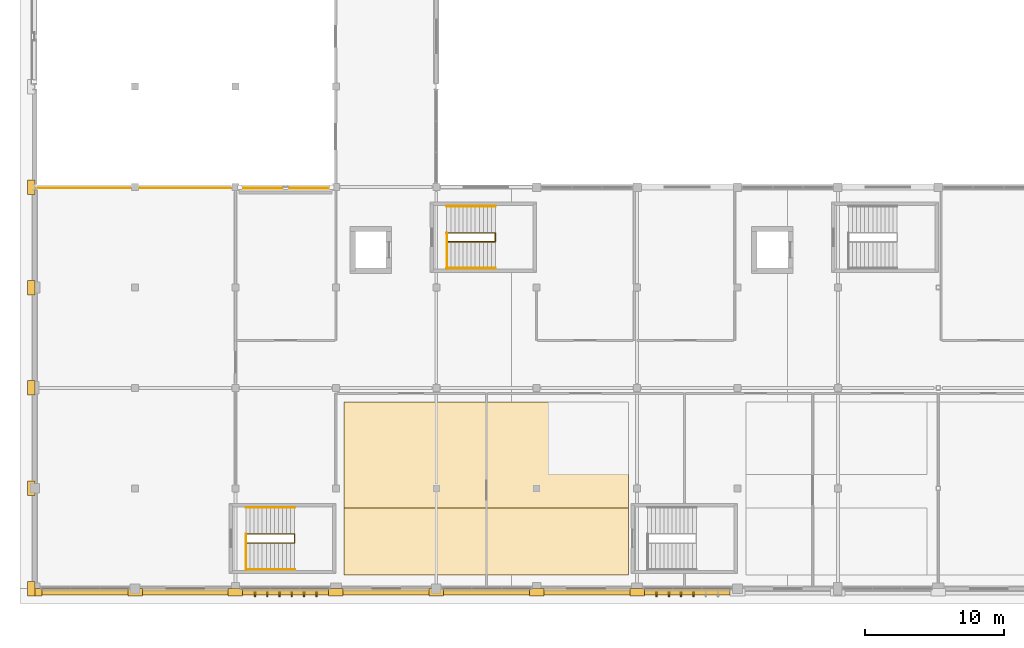
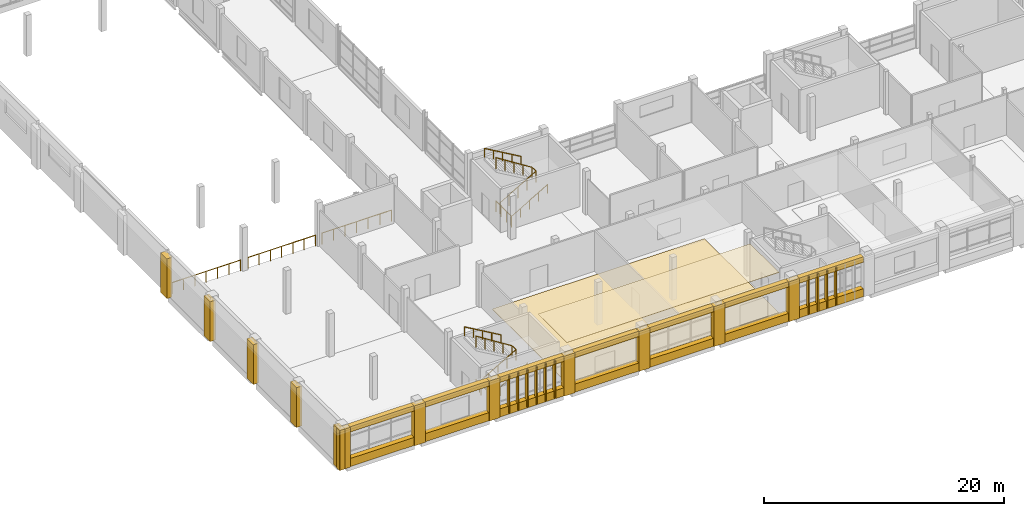
# One storey, part 58 of 71: 38 coverings, 11 railings.
"""IFC4 building model written with IfcOpenShell, lengths in metres."""

from ifc_helpers import new_model, si_unit, direction, frame, origin, origin_2d, place, context, subcontext, project, spatial, polyline, rectangle, circle, outline, extrude, material, layer, layer_set, type_object, element, save


model = new_model("IFC4")

# Units and contexts
model_context = context("Model", 3, precision=1e-05, world=origin(), true_north=direction((0.0, 1.0)))
body_context = subcontext(model_context, "Body", "Model", "MODEL_VIEW")
ifc_project = project(units=[si_unit("LENGTHUNIT", "METRE"), si_unit("AREAUNIT", "SQUARE_METRE"), si_unit("VOLUMEUNIT", "CUBIC_METRE"), si_unit("PLANEANGLEUNIT", "RADIAN"), si_unit("MASSUNIT", "GRAM", prefix="KILO")], contexts=[model_context])

# Site, building, storey
site_placement = place(None, origin())
site = spatial("IfcSite", under=ifc_project, at=site_placement, CompositionType="ELEMENT")
building_placement = place(site_placement, origin())
building = spatial("IfcBuilding", under=site, at=building_placement, Name="Sardonyx Promenade Sports Hall", CompositionType="ELEMENT")
storey_placement = place(building_placement, frame((0.0, 0.0, 16.0)))
storey = spatial("IfcBuildingStorey", under=building, at=storey_placement, Name="L03", CompositionType="ELEMENT", Elevation=16.0)

# Coverings
ifc_material_1 = material(Name="Perforated acoustic mineral-fibre baffle ceiling", Category="other")
ifc_layer_1 = layer(ifc_material_1, 0.0400390625)
ifc_layer_set_1 = layer_set([ifc_layer_1], Name="Cov_Ceil_Acoustic")
covering_type_1 = type_object("IfcCoveringType", Name="Cov_Ceil_Acoustic", PredefinedType="CEILING", material=ifc_layer_set_1)
covering_1_placement = place(storey_placement, frame((0.0, 0.0, 4.10009765625)))
element("IfcCovering", 1, at=covering_1_placement, inside=storey, type_object=covering_type_1, Name="Acoustic baffle ceiling CLG1 L03 #21", PredefinedType="CEILING", context=body_context, shape_type="SweptSolid", body=[
    extrude(outline(polyline([(22.199951171875, 5.800048828125), (22.199951171875, 1.0), (42.60009765625, 1.0), (42.60009765625, 5.800048828125), (22.199951171875, 5.800048828125)])), origin(), (0.0, 0.0, 1.0), 0.039794921875),
])
ifc_material_2 = material(Name="Dressed Cape red sandstone ashlar", Category="masonry")
ifc_layer_2 = layer(ifc_material_2, 0.06005859375)
ifc_layer_set_2 = layer_set([ifc_layer_2], Name="Cov_Cladding_Sandstone")
covering_type_2 = type_object("IfcCoveringType", Name="Cov_Cladding_Sandstone", PredefinedType="CLADDING", material=ifc_layer_set_2)
covering_2_placement = place(storey_placement, origin())
element("IfcCovering", 2, at=covering_2_placement, inside=storey, type_object=covering_type_2, Name="South sandstone bay pier casing L03 #0", PredefinedType="CLADDING", context=body_context, shape_type="SweptSolid", body=[
    extrude(outline(polyline([(-0.52001953125, -0.52001953125), (0.52001953125, -0.52001953125), (0.52001953125, 0.02001953125), (-0.52001953125, 0.02001953125), (-0.52001953125, -0.52001953125)])), origin(), (0.0, 0.0, 1.0), 4.050048828125),
])
covering_3_placement = place(storey_placement, origin())
element("IfcCovering", 3, at=covering_3_placement, inside=storey, type_object=covering_type_2, Name="South sandstone bay pier casing L03 #1", PredefinedType="CLADDING", context=body_context, shape_type="SweptSolid", body=[
    extrude(outline(polyline([(6.679931640625, -0.52001953125), (7.719970703125, -0.52001953125), (7.719970703125, 0.02001953125), (6.679931640625, 0.02001953125), (6.679931640625, -0.52001953125)])), origin(), (0.0, 0.0, 1.0), 4.050048828125),
])
covering_4_placement = place(storey_placement, origin())
element("IfcCovering", 4, at=covering_4_placement, inside=storey, type_object=covering_type_2, Name="South sandstone bay pier casing L03 #2", PredefinedType="CLADDING", context=body_context, shape_type="SweptSolid", body=[
    extrude(outline(polyline([(13.8798828125, -0.52001953125), (14.919921875, -0.52001953125), (14.919921875, 0.02001953125), (13.8798828125, 0.02001953125), (13.8798828125, -0.52001953125)])), origin(), (0.0, 0.0, 1.0), 4.050048828125),
])
covering_5_placement = place(storey_placement, origin())
element("IfcCovering", 5, at=covering_5_placement, inside=storey, type_object=covering_type_2, Name="South sandstone bay pier casing L03 #3", PredefinedType="CLADDING", context=body_context, shape_type="SweptSolid", body=[
    extrude(outline(polyline([(21.080078125, -0.52001953125), (22.1201171875, -0.52001953125), (22.1201171875, 0.02001953125), (21.080078125, 0.02001953125), (21.080078125, -0.52001953125)])), origin(), (0.0, 0.0, 1.0), 4.050048828125),
])
covering_6_placement = place(storey_placement, origin())
element("IfcCovering", 6, at=covering_6_placement, inside=storey, type_object=covering_type_2, Name="South sandstone bay pier casing L03 #4", PredefinedType="CLADDING", context=body_context, shape_type="SweptSolid", body=[
    extrude(outline(polyline([(28.280029296875, -0.52001953125), (29.320068359375, -0.52001953125), (29.320068359375, 0.02001953125), (28.280029296875, 0.02001953125), (28.280029296875, -0.52001953125)])), origin(), (0.0, 0.0, 1.0), 4.050048828125),
])
covering_7_placement = place(storey_placement, origin())
element("IfcCovering", 7, at=covering_7_placement, inside=storey, type_object=covering_type_2, Name="South sandstone bay pier casing L03 #5", PredefinedType="CLADDING", context=body_context, shape_type="SweptSolid", body=[
    extrude(outline(polyline([(35.47998046875, -0.52001953125), (36.52001953125, -0.52001953125), (36.52001953125, 0.02001953125), (35.47998046875, 0.02001953125), (35.47998046875, -0.52001953125)])), origin(), (0.0, 0.0, 1.0), 4.050048828125),
])
covering_8_placement = place(storey_placement, origin())
element("IfcCovering", 8, at=covering_8_placement, inside=storey, type_object=covering_type_2, Name="South sandstone bay pier casing L03 #6", PredefinedType="CLADDING", context=body_context, shape_type="SweptSolid", body=[
    extrude(outline(polyline([(42.679931640625, -0.52001953125), (43.719970703125, -0.52001953125), (43.719970703125, 0.02001953125), (42.679931640625, 0.02001953125), (42.679931640625, -0.52001953125)])), origin(), (0.0, 0.0, 1.0), 4.050048828125),
])
covering_9_placement = place(storey_placement, origin())
element("IfcCovering", 9, at=covering_9_placement, inside=storey, type_object=covering_type_2, Name="South sandstone sill spandrel L03 #8", PredefinedType="CLADDING", context=body_context, shape_type="SweptSolid", body=[
    extrude(outline(polyline([(43.719970703125, -0.4599609375), (49.8798828125, -0.4599609375), (49.8798828125, 0.02001953125), (43.719970703125, 0.02001953125), (43.719970703125, -0.4599609375)])), origin(), (0.0, 0.0, 1.0), 0.820068359375),
])
covering_10_placement = place(storey_placement, frame((0.0, 0.0, 3.5)))
element("IfcCovering", 10, at=covering_10_placement, inside=storey, type_object=covering_type_2, Name="South sandstone lintel frieze L03 #8", PredefinedType="CLADDING", context=body_context, shape_type="SweptSolid", body=[
    extrude(outline(polyline([(43.719970703125, -0.4599609375), (49.8798828125, -0.4599609375), (49.8798828125, 0.02001953125), (43.719970703125, 0.02001953125), (43.719970703125, -0.4599609375)])), origin(), (0.0, 0.0, 1.0), 0.550048828125),
])
covering_11_placement = place(storey_placement, origin())
element("IfcCovering", 11, at=covering_11_placement, inside=storey, type_object=covering_type_2, Name="South sandstone sill spandrel L03 #9", PredefinedType="CLADDING", context=body_context, shape_type="SweptSolid", body=[
    extrude(outline(polyline([(36.52001953125, -0.4599609375), (42.679931640625, -0.4599609375), (42.679931640625, 0.02001953125), (36.52001953125, 0.02001953125), (36.52001953125, -0.4599609375)])), origin(), (0.0, 0.0, 1.0), 0.820068359375),
])
covering_12_placement = place(storey_placement, frame((0.0, 0.0, 3.5)))
element("IfcCovering", 12, at=covering_12_placement, inside=storey, type_object=covering_type_2, Name="South sandstone lintel frieze L03 #9", PredefinedType="CLADDING", context=body_context, shape_type="SweptSolid", body=[
    extrude(outline(polyline([(36.52001953125, -0.4599609375), (42.679931640625, -0.4599609375), (42.679931640625, 0.02001953125), (36.52001953125, 0.02001953125), (36.52001953125, -0.4599609375)])), origin(), (0.0, 0.0, 1.0), 0.550048828125),
])
covering_13_placement = place(storey_placement, origin())
element("IfcCovering", 13, at=covering_13_placement, inside=storey, type_object=covering_type_2, Name="South sandstone sill spandrel L03 #10", PredefinedType="CLADDING", context=body_context, shape_type="SweptSolid", body=[
    extrude(outline(polyline([(29.320068359375, -0.4599609375), (35.47998046875, -0.4599609375), (35.47998046875, 0.02001953125), (29.320068359375, 0.02001953125), (29.320068359375, -0.4599609375)])), origin(), (0.0, 0.0, 1.0), 0.820068359375),
])
covering_14_placement = place(storey_placement, frame((0.0, 0.0, 3.5)))
element("IfcCovering", 14, at=covering_14_placement, inside=storey, type_object=covering_type_2, Name="South sandstone lintel frieze L03 #10", PredefinedType="CLADDING", context=body_context, shape_type="SweptSolid", body=[
    extrude(outline(polyline([(29.320068359375, -0.4599609375), (35.47998046875, -0.4599609375), (35.47998046875, 0.02001953125), (29.320068359375, 0.02001953125), (29.320068359375, -0.4599609375)])), origin(), (0.0, 0.0, 1.0), 0.550048828125),
])
covering_15_placement = place(storey_placement, origin())
element("IfcCovering", 15, at=covering_15_placement, inside=storey, type_object=covering_type_2, Name="South sandstone sill spandrel L03 #11", PredefinedType="CLADDING", context=body_context, shape_type="SweptSolid", body=[
    extrude(outline(polyline([(22.1201171875, -0.4599609375), (28.280029296875, -0.4599609375), (28.280029296875, 0.02001953125), (22.1201171875, 0.02001953125), (22.1201171875, -0.4599609375)])), origin(), (0.0, 0.0, 1.0), 0.820068359375),
])
covering_16_placement = place(storey_placement, frame((0.0, 0.0, 3.5)))
element("IfcCovering", 16, at=covering_16_placement, inside=storey, type_object=covering_type_2, Name="South sandstone lintel frieze L03 #11", PredefinedType="CLADDING", context=body_context, shape_type="SweptSolid", body=[
    extrude(outline(polyline([(22.1201171875, -0.4599609375), (28.280029296875, -0.4599609375), (28.280029296875, 0.02001953125), (22.1201171875, 0.02001953125), (22.1201171875, -0.4599609375)])), origin(), (0.0, 0.0, 1.0), 0.550048828125),
])
covering_17_placement = place(storey_placement, origin())
element("IfcCovering", 17, at=covering_17_placement, inside=storey, type_object=covering_type_2, Name="South sandstone sill spandrel L03 #12", PredefinedType="CLADDING", context=body_context, shape_type="SweptSolid", body=[
    extrude(outline(polyline([(14.919921875, -0.4599609375), (21.080078125, -0.4599609375), (21.080078125, 0.02001953125), (14.919921875, 0.02001953125), (14.919921875, -0.4599609375)])), origin(), (0.0, 0.0, 1.0), 0.820068359375),
])
covering_18_placement = place(storey_placement, frame((0.0, 0.0, 3.5)))
element("IfcCovering", 18, at=covering_18_placement, inside=storey, type_object=covering_type_2, Name="South sandstone lintel frieze L03 #12", PredefinedType="CLADDING", context=body_context, shape_type="SweptSolid", body=[
    extrude(outline(polyline([(14.919921875, -0.4599609375), (21.080078125, -0.4599609375), (21.080078125, 0.02001953125), (14.919921875, 0.02001953125), (14.919921875, -0.4599609375)])), origin(), (0.0, 0.0, 1.0), 0.550048828125),
])
covering_19_placement = place(storey_placement, origin())
element("IfcCovering", 19, at=covering_19_placement, inside=storey, type_object=covering_type_2, Name="South sandstone sill spandrel L03 #13", PredefinedType="CLADDING", context=body_context, shape_type="SweptSolid", body=[
    extrude(outline(polyline([(7.719970703125, -0.4599609375), (13.8798828125, -0.4599609375), (13.8798828125, 0.02001953125), (7.719970703125, 0.02001953125), (7.719970703125, -0.4599609375)])), origin(), (0.0, 0.0, 1.0), 0.820068359375),
])
covering_20_placement = place(storey_placement, frame((0.0, 0.0, 3.5)))
element("IfcCovering", 20, at=covering_20_placement, inside=storey, type_object=covering_type_2, Name="South sandstone lintel frieze L03 #13", PredefinedType="CLADDING", context=body_context, shape_type="SweptSolid", body=[
    extrude(outline(polyline([(7.719970703125, -0.4599609375), (13.8798828125, -0.4599609375), (13.8798828125, 0.02001953125), (7.719970703125, 0.02001953125), (7.719970703125, -0.4599609375)])), origin(), (0.0, 0.0, 1.0), 0.550048828125),
])
covering_21_placement = place(storey_placement, origin())
element("IfcCovering", 21, at=covering_21_placement, inside=storey, type_object=covering_type_2, Name="South sandstone sill spandrel L03 #14", PredefinedType="CLADDING", context=body_context, shape_type="SweptSolid", body=[
    extrude(outline(polyline([(0.52001953125, -0.4599609375), (6.679931640625, -0.4599609375), (6.679931640625, 0.02001953125), (0.52001953125, 0.02001953125), (0.52001953125, -0.4599609375)])), origin(), (0.0, 0.0, 1.0), 0.820068359375),
])
covering_22_placement = place(storey_placement, frame((0.0, 0.0, 3.5)))
element("IfcCovering", 22, at=covering_22_placement, inside=storey, type_object=covering_type_2, Name="South sandstone lintel frieze L03 #14", PredefinedType="CLADDING", context=body_context, shape_type="SweptSolid", body=[
    extrude(outline(polyline([(0.52001953125, -0.4599609375), (6.679931640625, -0.4599609375), (6.679931640625, 0.02001953125), (0.52001953125, 0.02001953125), (0.52001953125, -0.4599609375)])), origin(), (0.0, 0.0, 1.0), 0.550048828125),
])
covering_23_placement = place(storey_placement, origin())
element("IfcCovering", 23, at=covering_23_placement, inside=storey, type_object=covering_type_2, Name="West sandstone pier casing L03 #0", PredefinedType="CLADDING", context=body_context, shape_type="SweptSolid", body=[
    extrude(outline(polyline([(-0.5, -0.52001953125), (0.02001953125, -0.52001953125), (0.02001953125, 0.52001953125), (-0.5, 0.52001953125), (-0.5, -0.52001953125)])), origin(), (0.0, 0.0, 1.0), 4.050048828125),
])
covering_24_placement = place(storey_placement, origin())
element("IfcCovering", 24, at=covering_24_placement, inside=storey, type_object=covering_type_2, Name="West sandstone pier casing L03 #1", PredefinedType="CLADDING", context=body_context, shape_type="SweptSolid", body=[
    extrude(outline(polyline([(-0.5, 6.679931640625), (0.02001953125, 6.679931640625), (0.02001953125, 7.719970703125), (-0.5, 7.719970703125), (-0.5, 6.679931640625)])), origin(), (0.0, 0.0, 1.0), 4.050048828125),
])
covering_25_placement = place(storey_placement, origin())
element("IfcCovering", 25, at=covering_25_placement, inside=storey, type_object=covering_type_2, Name="West sandstone pier casing L03 #2", PredefinedType="CLADDING", context=body_context, shape_type="SweptSolid", body=[
    extrude(outline(polyline([(-0.5, 13.8798828125), (0.02001953125, 13.8798828125), (0.02001953125, 14.919921875), (-0.5, 14.919921875), (-0.5, 13.8798828125)])), origin(), (0.0, 0.0, 1.0), 4.050048828125),
])
covering_26_placement = place(storey_placement, origin())
element("IfcCovering", 26, at=covering_26_placement, inside=storey, type_object=covering_type_2, Name="West sandstone pier casing L03 #3", PredefinedType="CLADDING", context=body_context, shape_type="SweptSolid", body=[
    extrude(outline(polyline([(-0.5, 21.080078125), (0.02001953125, 21.080078125), (0.02001953125, 22.1201171875), (-0.5, 22.1201171875), (-0.5, 21.080078125)])), origin(), (0.0, 0.0, 1.0), 4.050048828125),
])
covering_27_placement = place(storey_placement, origin())
element("IfcCovering", 27, at=covering_27_placement, inside=storey, type_object=covering_type_2, Name="West sandstone pier casing L03 #4", PredefinedType="CLADDING", context=body_context, shape_type="SweptSolid", body=[
    extrude(outline(polyline([(-0.5, 28.280029296875), (0.02001953125, 28.280029296875), (0.02001953125, 29.320068359375), (-0.5, 29.320068359375), (-0.5, 28.280029296875)])), origin(), (0.0, 0.0, 1.0), 4.050048828125),
])
ifc_material_3 = material(Name="FIBA Grade 1 sprung maple hardwood court flooring", Category="wood")
ifc_layer_3 = layer(ifc_material_3, 0.044921875)
ifc_layer_set_3 = layer_set([ifc_layer_3], Name="Cov_Floor_Maple")
covering_type_3 = type_object("IfcCoveringType", Name="Cov_Floor_Maple", PredefinedType="FLOORING", material=ifc_layer_set_3)
covering_28_placement = place(storey_placement, origin())
element("IfcCovering", 28, at=covering_28_placement, inside=storey, type_object=covering_type_3, Name="Athletic flooring FLR1 L03 #11", PredefinedType="FLOORING", context=body_context, shape_type="SweptSolid", body=[
    extrude(outline(polyline([(22.199951171875, 1.0), (42.60009765625, 1.0), (42.60009765625, 13.39990234375), (22.199951171875, 13.39990234375), (22.199951171875, 1.0)])), origin(), (0.0, 0.0, 1.0), 0.044921875),
])
ifc_material_4 = material(Name="Glulam GL28h", Category="wood")
ifc_layer_4 = layer(ifc_material_4, 0.110107421875)
ifc_layer_set_4 = layer_set([ifc_layer_4], Name="Cov_Louvre_GL28h")
covering_type_4 = type_object("IfcCoveringType", Name="Cov_Louvre_GL28h", PredefinedType="MOLDING", material=ifc_layer_set_4)
for number, where, z_axis, x_axis, name in (
    (29, (44.60009765625, -0.3798828125, 0.099853515625), (0.0, 0.0, 1.0), (1.0, 0.0, 0.0), "Mughal jali screen mullion L03 #8-1"),
    (30, (45.47998046875, -0.3798828125, 0.099853515625), (0.0, 0.0, 1.0), (1.0, 0.0, 0.0), "Mughal jali screen mullion L03 #8-2"),
    (31, (46.360107421875, -0.3798828125, 0.099853515625), (0.0, 0.0, 1.0), (1.0, 0.0, 0.0), "Mughal jali screen mullion L03 #8-3"),
    (32, (47.239990234375, -0.3798828125, 0.099853515625), (0.0, 0.0, 1.0), (1.0, 0.0, 0.0), "Mughal jali screen mullion L03 #8-4"),
    (33, (15.800048828125, -0.3798828125, 0.099853515625), (0.0, 0.0, 1.0), (1.0, 0.0, 0.0), "Mughal jali screen mullion L03 #12-1"),
    (34, (16.679931640625, -0.3798828125, 0.099853515625), (0.0, 0.0, 1.0), (1.0, 0.0, 0.0), "Mughal jali screen mullion L03 #12-2"),
    (35, (17.56005859375, -0.3798828125, 0.099853515625), (0.0, 0.0, 1.0), (1.0, 0.0, 0.0), "Mughal jali screen mullion L03 #12-3"),
    (36, (18.43994140625, -0.3798828125, 0.099853515625), (0.0, 0.0, 1.0), (1.0, 0.0, 0.0), "Mughal jali screen mullion L03 #12-4"),
    (37, (19.320068359375, -0.3798828125, 0.099853515625), (0.0, 0.0, 1.0), (1.0, 0.0, 0.0), "Mughal jali screen mullion L03 #12-5"),
    (38, (20.199951171875, -0.3798828125, 0.099853515625), (0.0, 0.0, 1.0), (1.0, 0.0, 0.0), "Mughal jali screen mullion L03 #12-6"),
):
    element("IfcCovering", number, at=place(storey_placement, frame(where, z_axis=z_axis, x_axis=x_axis)), inside=storey, type_object=covering_type_4, Name=name, PredefinedType="MOLDING", context=body_context, shape_type="SweptSolid", body=[
        extrude(rectangle(XDim=0.10009765625, YDim=0.360107421875, at=origin_2d()), origin(), (0.0, 0.0, 1.0), 3.85009765625),
    ])

# Railings
ifc_material_5 = material(Name="Powder-coated Steel S355JR", Category="steel")
railing_type_1 = type_object("IfcRailingType", Name="Rail_Int_Guard_1100", PredefinedType="GUARDRAIL", material=ifc_material_5)
railing_1_placement = place(storey_placement, frame((29.56005859375, 22.945068359375, 0.0)))
element("IfcRailing", 39, at=railing_1_placement, inside=storey, type_object=railing_type_1, Name="Stair floor-edge guard ST1 L03", PredefinedType="GUARDRAIL", context=body_context, shape_type="SweptSolid", body=[
    extrude(circle(Radius=0.02392578125, at=origin_2d()), frame((0.0, 0.0, 1.09619140625), z_axis=(0.0, 1.0, 0.0), x_axis=(-1.0, 0.0, 0.0)), (0.0, 0.0, 1.0), 2.56982421875),
    extrude(circle(Radius=0.02392578125, at=origin_2d()), frame((0.0, 2.56982421875, 1.09619140625), z_axis=(-1.0, 0.0, 0.0), x_axis=(0.0, -1.0, 0.0)), (0.0, 0.0, 1.0), 0.010009765625),
    extrude(circle(Radius=0.02099609375, at=origin_2d()), origin(), (0.0, 0.0, 1.0), 1.072021484375),
    extrude(circle(Radius=0.02099609375, at=origin_2d()), frame((0.0, 0.856689453125, 0.0)), (0.0, 0.0, 1.0), 1.072021484375),
    extrude(circle(Radius=0.02099609375, at=origin_2d()), frame((0.0, 1.713134765625, 0.0)), (0.0, 0.0, 1.0), 1.072021484375),
    extrude(circle(Radius=0.02099609375, at=origin_2d()), frame((0.0, 2.56982421875, 0.0)), (0.0, 0.0, 1.0), 1.072021484375),
    extrude(circle(Radius=0.02099609375, at=origin_2d()), frame((-0.010009765625, 2.56982421875, 0.0)), (0.0, 0.0, 1.0), 1.072021484375),
])
railing_2_placement = place(storey_placement, frame((29.550048828125, 24.885009765625, 0.169189453125)))
element("IfcRailing", 40, at=railing_2_placement, inside=storey, type_object=railing_type_1, Name="Stair inner well guard ST1 L03", PredefinedType="GUARDRAIL", context=body_context, shape_type="SweptSolid", body=[
    extrude(circle(Radius=0.02392578125, at=origin_2d()), frame((0.0, 0.0, 1.09619140625), z_axis=(0.863695377172, 0.0, 0.504014181796), x_axis=(0.0, 1.0, 0.0)), (0.0, 0.0, 1.0), 4.029296875),
    extrude(circle(Radius=0.02392578125, at=origin_2d()), frame((3.47998046875, 0.0, 3.126953125), z_axis=(0.0, 1.0, 0.0), x_axis=(-1.0, 0.0, 0.0)), (0.0, 0.0, 1.0), 0.6298828125),
    extrude(circle(Radius=0.02392578125, at=origin_2d()), frame((3.47998046875, 0.6298828125, 3.126953125), z_axis=(-0.845261960257, 0.0, 0.534352148441), x_axis=(0.0, -1.0, 0.0)), (0.0, 0.0, 1.0), 4.116943359375),
    extrude(circle(Radius=0.02099609375, at=origin_2d()), origin(), (0.0, 0.0, 1.0), 1.072021484375),
    extrude(circle(Radius=0.02099609375, at=origin_2d()), frame((0.8701171875, 0.0, 0.5078125)), (0.0, 0.0, 1.0), 1.072021484375),
    extrude(circle(Radius=0.02099609375, at=origin_2d()), frame((1.739990234375, 0.0, 1.015380859375)), (0.0, 0.0, 1.0), 1.072021484375),
    extrude(circle(Radius=0.02099609375, at=origin_2d()), frame((2.60986328125, 0.0, 1.52294921875)), (0.0, 0.0, 1.0), 1.072021484375),
    extrude(circle(Radius=0.02099609375, at=origin_2d()), frame((3.47998046875, 0.0, 2.03076171875)), (0.0, 0.0, 1.0), 1.072021484375),
    extrude(circle(Radius=0.02099609375, at=origin_2d()), frame((3.47998046875, 0.6298828125, 2.03076171875)), (0.0, 0.0, 1.0), 1.072021484375),
    extrude(circle(Radius=0.02099609375, at=origin_2d()), frame((2.60986328125, 0.6298828125, 2.580810546875)), (0.0, 0.0, 1.0), 1.072021484375),
    extrude(circle(Radius=0.02099609375, at=origin_2d()), frame((1.739990234375, 0.6298828125, 3.130859375)), (0.0, 0.0, 1.0), 1.072021484375),
    extrude(circle(Radius=0.02099609375, at=origin_2d()), frame((0.8701171875, 0.6298828125, 3.6806640625)), (0.0, 0.0, 1.0), 1.072021484375),
    extrude(circle(Radius=0.02099609375, at=origin_2d()), frame((0.0, 0.6298828125, 4.230712890625)), (0.0, 0.0, 1.0), 1.072021484375),
])
railing_3_placement = place(storey_placement, frame((15.159912109375, 1.344970703125, 0.0)))
element("IfcRailing", 41, at=railing_3_placement, inside=storey, type_object=railing_type_1, Name="Stair floor-edge guard ST5 L03", PredefinedType="GUARDRAIL", context=body_context, shape_type="SweptSolid", body=[
    extrude(circle(Radius=0.02392578125, at=origin_2d()), frame((0.0, 0.0, 1.09619140625), z_axis=(0.0, 1.0, 0.0), x_axis=(-1.0, 0.0, 0.0)), (0.0, 0.0, 1.0), 2.570068359375),
    extrude(circle(Radius=0.02392578125, at=origin_2d()), frame((0.0, 2.570068359375, 1.09619140625), z_axis=(-1.0, 0.0, 0.0), x_axis=(0.0, -1.0, 0.0)), (0.0, 0.0, 1.0), 0.010009765625),
    extrude(circle(Radius=0.02099609375, at=origin_2d()), origin(), (0.0, 0.0, 1.0), 1.072021484375),
    extrude(circle(Radius=0.02099609375, at=origin_2d()), frame((0.0, 0.856689453125, 0.0)), (0.0, 0.0, 1.0), 1.072021484375),
    extrude(circle(Radius=0.02099609375, at=origin_2d()), frame((0.0, 1.71337890625, 0.0)), (0.0, 0.0, 1.0), 1.072021484375),
    extrude(circle(Radius=0.02099609375, at=origin_2d()), frame((0.0, 2.570068359375, 0.0)), (0.0, 0.0, 1.0), 1.072021484375),
    extrude(circle(Radius=0.02099609375, at=origin_2d()), frame((-0.010009765625, 2.570068359375, 0.0)), (0.0, 0.0, 1.0), 1.072021484375),
])
railing_4_placement = place(storey_placement, frame((15.14990234375, 3.284912109375, 0.169189453125)))
element("IfcRailing", 42, at=railing_4_placement, inside=storey, type_object=railing_type_1, Name="Stair inner well guard ST5 L03", PredefinedType="GUARDRAIL", context=body_context, shape_type="SweptSolid", body=[
    extrude(circle(Radius=0.02392578125, at=origin_2d()), frame((0.0, 0.0, 1.09619140625), z_axis=(0.863695377172, 0.0, 0.504014181796), x_axis=(0.0, 1.0, 0.0)), (0.0, 0.0, 1.0), 4.029296875),
    extrude(circle(Radius=0.02392578125, at=origin_2d()), frame((3.47998046875, 0.0, 3.126953125), z_axis=(0.0, 1.0, 0.0), x_axis=(-1.0, 0.0, 0.0)), (0.0, 0.0, 1.0), 0.630126953125),
    extrude(circle(Radius=0.02392578125, at=origin_2d()), frame((3.47998046875, 0.630126953125, 3.126953125), z_axis=(-0.845261960257, 0.0, 0.534352148441), x_axis=(0.0, -1.0, 0.0)), (0.0, 0.0, 1.0), 4.116943359375),
    extrude(circle(Radius=0.02099609375, at=origin_2d()), origin(), (0.0, 0.0, 1.0), 1.072021484375),
    extrude(circle(Radius=0.02099609375, at=origin_2d()), frame((0.8701171875, 0.0, 0.5078125)), (0.0, 0.0, 1.0), 1.072021484375),
    extrude(circle(Radius=0.02099609375, at=origin_2d()), frame((1.739990234375, 0.0, 1.015380859375)), (0.0, 0.0, 1.0), 1.072021484375),
    extrude(circle(Radius=0.02099609375, at=origin_2d()), frame((2.60986328125, 0.0, 1.52294921875)), (0.0, 0.0, 1.0), 1.072021484375),
    extrude(circle(Radius=0.02099609375, at=origin_2d()), frame((3.47998046875, 0.0, 2.03076171875)), (0.0, 0.0, 1.0), 1.072021484375),
    extrude(circle(Radius=0.02099609375, at=origin_2d()), frame((3.47998046875, 0.630126953125, 2.03076171875)), (0.0, 0.0, 1.0), 1.072021484375),
    extrude(circle(Radius=0.02099609375, at=origin_2d()), frame((2.60986328125, 0.630126953125, 2.580810546875)), (0.0, 0.0, 1.0), 1.072021484375),
    extrude(circle(Radius=0.02099609375, at=origin_2d()), frame((1.739990234375, 0.630126953125, 3.130859375)), (0.0, 0.0, 1.0), 1.072021484375),
    extrude(circle(Radius=0.02099609375, at=origin_2d()), frame((0.8701171875, 0.630126953125, 3.6806640625)), (0.0, 0.0, 1.0), 1.072021484375),
    extrude(circle(Radius=0.02099609375, at=origin_2d()), frame((0.0, 0.630126953125, 4.230712890625)), (0.0, 0.0, 1.0), 1.072021484375),
])
railing_5_placement = place(storey_placement, frame((14.659912109375, 28.719970703125, 0.0)))
element("IfcRailing", 43, at=railing_5_placement, inside=storey, type_object=railing_type_1, Name="Deck-edge guardrail GR02 L03 GridE-3-4", PredefinedType="GUARDRAIL", context=body_context, shape_type="SweptSolid", body=[
    extrude(circle(Radius=0.02392578125, at=origin_2d()), frame((0.0, 0.0, 1.09619140625), z_axis=(1.0, 0.0, 0.0), x_axis=(0.0, 1.0, 0.0)), (0.0, 0.0, 1.0), 6.68017578125),
    extrude(circle(Radius=0.02099609375, at=origin_2d()), origin(), (0.0, 0.0, 1.0), 1.072021484375),
    extrude(circle(Radius=0.02099609375, at=origin_2d()), frame((1.11328125, 0.0, 0.0)), (0.0, 0.0, 1.0), 1.072021484375),
    extrude(circle(Radius=0.02099609375, at=origin_2d()), frame((2.226806640625, 0.0, 0.0)), (0.0, 0.0, 1.0), 1.072021484375),
    extrude(circle(Radius=0.02099609375, at=origin_2d()), frame((3.340087890625, 0.0, 0.0)), (0.0, 0.0, 1.0), 1.072021484375),
    extrude(circle(Radius=0.02099609375, at=origin_2d()), frame((4.453369140625, 0.0, 0.0)), (0.0, 0.0, 1.0), 1.072021484375),
    extrude(circle(Radius=0.02099609375, at=origin_2d()), frame((5.56689453125, 0.0, 0.0)), (0.0, 0.0, 1.0), 1.072021484375),
    extrude(circle(Radius=0.02099609375, at=origin_2d()), frame((6.68017578125, 0.0, 0.0)), (0.0, 0.0, 1.0), 1.072021484375),
])
railing_6_placement = place(storey_placement, frame((14.050048828125, 28.72998046875, 0.0)))
element("IfcRailing", 44, at=railing_6_placement, inside=storey, type_object=railing_type_1, Name="Deck-edge guardrail GR02 L03 #53", PredefinedType="GUARDRAIL", context=body_context, shape_type="SweptSolid", body=[
    extrude(circle(Radius=0.02392578125, at=origin_2d()), frame((0.0, 0.0, 1.09619140625), z_axis=(-1.0, 0.0, 0.0), x_axis=(0.0, -1.0, 0.0)), (0.0, 0.0, 1.0), 6.5),
    extrude(circle(Radius=0.02099609375, at=origin_2d()), origin(), (0.0, 0.0, 1.0), 1.072021484375),
    extrude(circle(Radius=0.02099609375, at=origin_2d()), frame((-1.083251953125, 0.0, 0.0)), (0.0, 0.0, 1.0), 1.072021484375),
    extrude(circle(Radius=0.02099609375, at=origin_2d()), frame((-2.166748046875, 0.0, 0.0)), (0.0, 0.0, 1.0), 1.072021484375),
    extrude(circle(Radius=0.02099609375, at=origin_2d()), frame((-3.25, 0.0, 0.0)), (0.0, 0.0, 1.0), 1.072021484375),
    extrude(circle(Radius=0.02099609375, at=origin_2d()), frame((-4.333251953125, 0.0, 0.0)), (0.0, 0.0, 1.0), 1.072021484375),
    extrude(circle(Radius=0.02099609375, at=origin_2d()), frame((-5.416748046875, 0.0, 0.0)), (0.0, 0.0, 1.0), 1.072021484375),
    extrude(circle(Radius=0.02099609375, at=origin_2d()), frame((-6.5, 0.0, 0.0)), (0.0, 0.0, 1.0), 1.072021484375),
])
railing_7_placement = place(storey_placement, frame((6.85009765625, 28.72998046875, 0.0)))
element("IfcRailing", 45, at=railing_7_placement, inside=storey, type_object=railing_type_1, Name="Deck-edge guardrail GR02 L03 #54", PredefinedType="GUARDRAIL", context=body_context, shape_type="SweptSolid", body=[
    extrude(circle(Radius=0.02392578125, at=origin_2d()), frame((0.0, 0.0, 1.09619140625), z_axis=(-1.0, 0.0, 0.0), x_axis=(0.0, -1.0, 0.0)), (0.0, 0.0, 1.0), 6.60009765625),
    extrude(circle(Radius=0.02099609375, at=origin_2d()), origin(), (0.0, 0.0, 1.0), 1.072021484375),
    extrude(circle(Radius=0.02099609375, at=origin_2d()), frame((-1.10009765625, 0.0, 0.0)), (0.0, 0.0, 1.0), 1.072021484375),
    extrude(circle(Radius=0.02099609375, at=origin_2d()), frame((-2.199951171875, 0.0, 0.0)), (0.0, 0.0, 1.0), 1.072021484375),
    extrude(circle(Radius=0.02099609375, at=origin_2d()), frame((-3.300048828125, 0.0, 0.0)), (0.0, 0.0, 1.0), 1.072021484375),
    extrude(circle(Radius=0.02099609375, at=origin_2d()), frame((-4.400146484375, 0.0, 0.0)), (0.0, 0.0, 1.0), 1.072021484375),
    extrude(circle(Radius=0.02099609375, at=origin_2d()), frame((-5.5, 0.0, 0.0)), (0.0, 0.0, 1.0), 1.072021484375),
    extrude(circle(Radius=0.02099609375, at=origin_2d()), frame((-6.60009765625, 0.0, 0.0)), (0.0, 0.0, 1.0), 1.072021484375),
])
ifc_material_6 = material(Name="Brushed stainless steel Grade 304", Category="steel")
railing_type_2 = type_object("IfcRailingType", Name="Rail_Int_Handrail_900", PredefinedType="HANDRAIL", material=ifc_material_6)
railing_8_placement = place(storey_placement, frame((29.550048828125, 22.97509765625, 0.169189453125)))
element("IfcRailing", 46, at=railing_8_placement, inside=storey, type_object=railing_type_2, Name="Stair handrail ST1 L03 F1", PredefinedType="HANDRAIL", context=body_context, shape_type="SweptSolid", body=[
    extrude(circle(Radius=0.02392578125, at=origin_2d()), frame((0.0, 0.0, 0.8759765625), z_axis=(0.864949480274, 0.0, 0.501858940912), x_axis=(0.0, 1.0, 0.0)), (0.0, 0.0, 1.0), 4.04638671875),
    extrude(circle(Radius=0.02099609375, at=origin_2d()), origin(), (0.0, 0.0, 1.0), 0.851806640625),
    extrude(circle(Radius=0.02099609375, at=origin_2d()), frame((0.875, 0.0, 0.5078125)), (0.0, 0.0, 1.0), 0.851806640625),
    extrude(circle(Radius=0.02099609375, at=origin_2d()), frame((1.75, 0.0, 1.015380859375)), (0.0, 0.0, 1.0), 0.851806640625),
    extrude(circle(Radius=0.02099609375, at=origin_2d()), frame((2.625, 0.0, 1.52294921875)), (0.0, 0.0, 1.0), 0.851806640625),
    extrude(circle(Radius=0.02099609375, at=origin_2d()), frame((3.5, 0.0, 2.03076171875)), (0.0, 0.0, 1.0), 0.851806640625),
])
railing_9_placement = place(storey_placement, frame((33.050048828125, 27.425048828125, 2.369140625)))
element("IfcRailing", 47, at=railing_9_placement, inside=storey, type_object=railing_type_2, Name="Stair handrail ST1 L03 F2", PredefinedType="HANDRAIL", context=body_context, shape_type="SweptSolid", body=[
    extrude(circle(Radius=0.02392578125, at=origin_2d()), frame((0.0, 0.0, 0.8759765625), z_axis=(-0.864949480274, 0.0, 0.501858940912), x_axis=(0.0, -1.0, 0.0)), (0.0, 0.0, 1.0), 4.04638671875),
    extrude(circle(Radius=0.02099609375, at=origin_2d()), origin(), (0.0, 0.0, 1.0), 0.851806640625),
    extrude(circle(Radius=0.02099609375, at=origin_2d()), frame((-0.875, 0.0, 0.5078125)), (0.0, 0.0, 1.0), 0.851806640625),
    extrude(circle(Radius=0.02099609375, at=origin_2d()), frame((-1.75, 0.0, 1.015380859375)), (0.0, 0.0, 1.0), 0.851806640625),
    extrude(circle(Radius=0.02099609375, at=origin_2d()), frame((-2.625, 0.0, 1.52294921875)), (0.0, 0.0, 1.0), 0.851806640625),
    extrude(circle(Radius=0.02099609375, at=origin_2d()), frame((-3.5, 0.0, 2.03076171875)), (0.0, 0.0, 1.0), 0.851806640625),
])
railing_10_placement = place(storey_placement, frame((15.14990234375, 1.375, 0.169189453125)))
element("IfcRailing", 48, at=railing_10_placement, inside=storey, type_object=railing_type_2, Name="Stair handrail ST5 L03 F1", PredefinedType="HANDRAIL", context=body_context, shape_type="SweptSolid", body=[
    extrude(circle(Radius=0.02392578125, at=origin_2d()), frame((0.0, 0.0, 0.8759765625), z_axis=(0.864949480274, 0.0, 0.501858940912), x_axis=(0.0, 1.0, 0.0)), (0.0, 0.0, 1.0), 4.04638671875),
    extrude(circle(Radius=0.02099609375, at=origin_2d()), origin(), (0.0, 0.0, 1.0), 0.851806640625),
    extrude(circle(Radius=0.02099609375, at=origin_2d()), frame((0.875, 0.0, 0.5078125)), (0.0, 0.0, 1.0), 0.851806640625),
    extrude(circle(Radius=0.02099609375, at=origin_2d()), frame((1.75, 0.0, 1.015380859375)), (0.0, 0.0, 1.0), 0.851806640625),
    extrude(circle(Radius=0.02099609375, at=origin_2d()), frame((2.625, 0.0, 1.52294921875)), (0.0, 0.0, 1.0), 0.851806640625),
    extrude(circle(Radius=0.02099609375, at=origin_2d()), frame((3.5, 0.0, 2.03076171875)), (0.0, 0.0, 1.0), 0.851806640625),
])
railing_11_placement = place(storey_placement, frame((18.64990234375, 5.824951171875, 2.369140625)))
element("IfcRailing", 49, at=railing_11_placement, inside=storey, type_object=railing_type_2, Name="Stair handrail ST5 L03 F2", PredefinedType="HANDRAIL", context=body_context, shape_type="SweptSolid", body=[
    extrude(circle(Radius=0.02392578125, at=origin_2d()), frame((0.0, 0.0, 0.8759765625), z_axis=(-0.864949480274, 0.0, 0.501858940912), x_axis=(0.0, -1.0, 0.0)), (0.0, 0.0, 1.0), 4.04638671875),
    extrude(circle(Radius=0.02099609375, at=origin_2d()), origin(), (0.0, 0.0, 1.0), 0.851806640625),
    extrude(circle(Radius=0.02099609375, at=origin_2d()), frame((-0.875, 0.0, 0.5078125)), (0.0, 0.0, 1.0), 0.851806640625),
    extrude(circle(Radius=0.02099609375, at=origin_2d()), frame((-1.75, 0.0, 1.015380859375)), (0.0, 0.0, 1.0), 0.851806640625),
    extrude(circle(Radius=0.02099609375, at=origin_2d()), frame((-2.625, 0.0, 1.52294921875)), (0.0, 0.0, 1.0), 0.851806640625),
    extrude(circle(Radius=0.02099609375, at=origin_2d()), frame((-3.5, 0.0, 2.03076171875)), (0.0, 0.0, 1.0), 0.851806640625),
])

save(model, "model.ifc")
